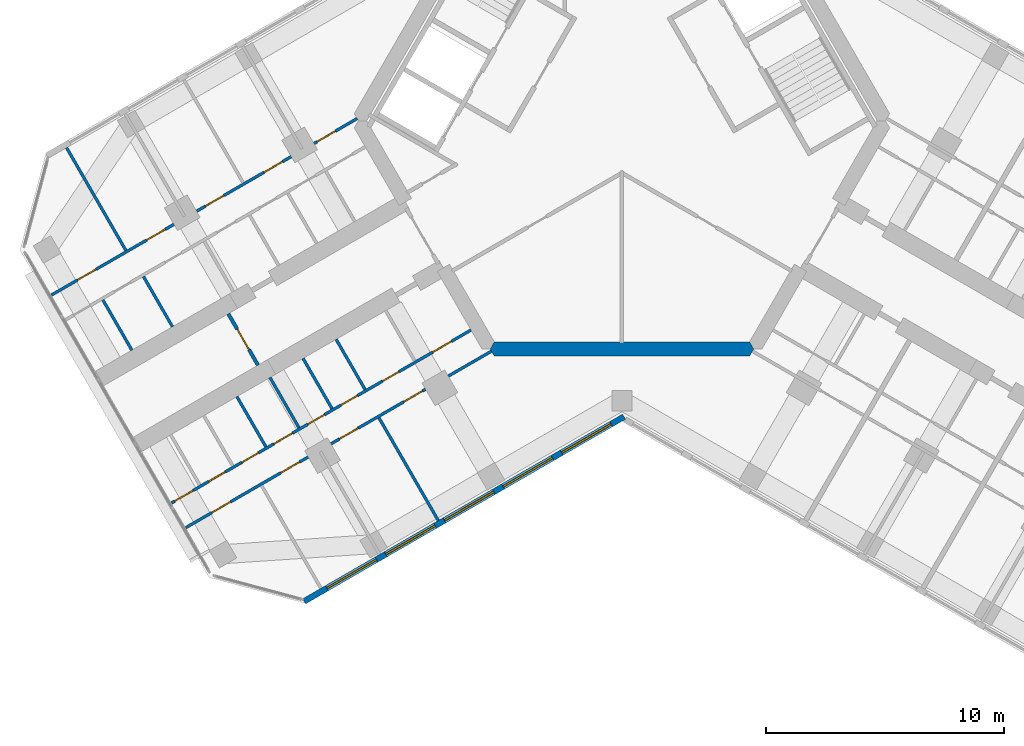
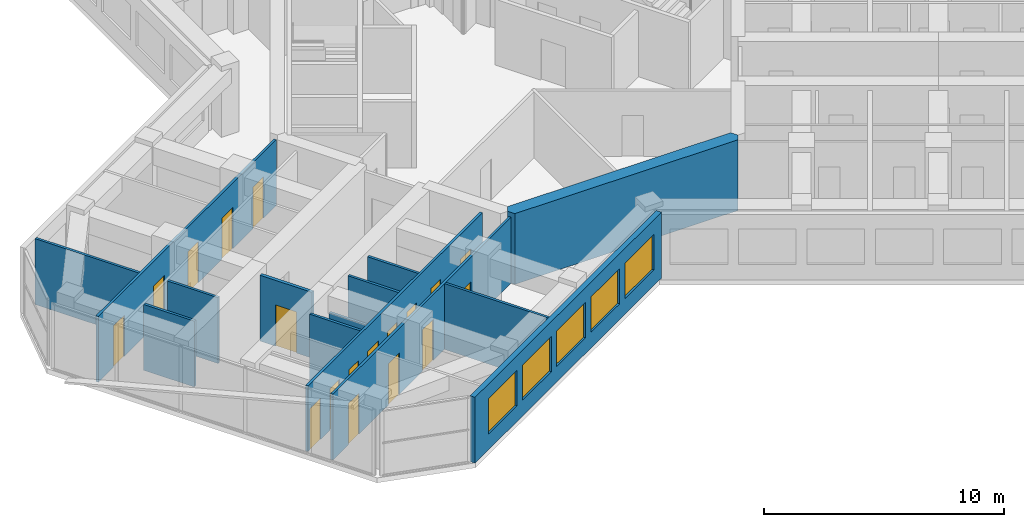
# One storey, part 8 of 16: 18 doors, 14 walls, 5 windows, 23 openings.
"""IFC4 building model written with IfcOpenShell, lengths in metres."""

from ifc_helpers import new_model, si_unit, direction, frame, frame_2d, origin, place, context, subcontext, project, spatial, polyline, rectangle, outline, extrude, material, layer, layer_set, type_object, element, fill, save


model = new_model("IFC4")

# Units and contexts
model_context = context("Model", 3, precision=1e-05, world=origin(), true_north=direction((0.0, 1.0)))
body_context = subcontext(model_context, "Body", "Model", "MODEL_VIEW")
ifc_project = project(units=[si_unit("LENGTHUNIT", "METRE"), si_unit("AREAUNIT", "SQUARE_METRE"), si_unit("VOLUMEUNIT", "CUBIC_METRE"), si_unit("PLANEANGLEUNIT", "RADIAN"), si_unit("MASSUNIT", "GRAM", prefix="KILO")], contexts=[model_context])

# Site, building, storey
site_placement = place(None, origin())
site = spatial("IfcSite", under=ifc_project, at=site_placement, CompositionType="ELEMENT")
building_placement = place(site_placement, origin())
building = spatial("IfcBuilding", under=site, at=building_placement, Name="Kosmar Iwan School Tower", CompositionType="ELEMENT")
storey_placement = place(building_placement, frame((0.0, 0.0, 253.199951171875)))
storey = spatial("IfcBuildingStorey", under=building, at=storey_placement, Name="L64", CompositionType="ELEMENT", Elevation=253.199951171875)

# Wall
ifc_material_1 = material(Name="Concrete C50/60", Category="concrete")
ifc_layer_1 = layer(ifc_material_1, 0.60009765625)
ifc_layer_set_1 = layer_set([ifc_layer_1], Name="Core wall 600")
wall_type_1 = type_object("IfcWallType", Name="Core wall 600", PredefinedType="SHEAR", material=ifc_layer_set_1)
wall_1_placement = place(storey_placement, origin())
element("IfcWall", 1, at=wall_1_placement, inside=storey, type_object=wall_type_1, Name="Core wall F270", PredefinedType="SHEAR", context=body_context, shape_type="SweptSolid", body=[
    extrude(outline(polyline([(-5.369384765625, -9.89990234375), (5.369384765625, -9.89990234375), (5.54248046875, -9.60009765625), (5.369384765625, -9.300048828125), (-5.369384765625, -9.300048828125), (-5.54248046875, -9.60009765625), (-5.369384765625, -9.89990234375)])), origin(), (0.0, 0.0, 1.0), 3.60009765625),
])

# Wall, opening, door
ifc_material_2 = material(Name="Gypsum board on steel studs, fire-rated", Category="steel")
ifc_layer_2 = layer(ifc_material_2, 0.14990234375)
ifc_layer_set_2 = layer_set([ifc_layer_2], Name="Corridor end wall 150")
wall_type_2 = type_object("IfcWallType", Name="Corridor end wall 150", PredefinedType="PARTITIONING", material=ifc_layer_set_2)
wall_2_placement = place(storey_placement, frame((-16.559814453125, -8.117431640625, 0.0), z_axis=(0.0, 0.0, 1.0), x_axis=(0.500004234368, -0.866022959057, 0.0)))
wall_2 = element("IfcWall", 2, at=wall_2_placement, inside=storey, type_object=wall_type_2, Name="Partition L64-B-CE", PredefinedType="PARTITIONING", context=body_context, shape_type="SweptSolid", body=[
    extrude(rectangle(XDim=2.5, YDim=0.14990234375, at=frame_2d((1.25, 0.0))), origin(), (0.0, 0.0, 1.0), 3.35009765625),
])
opening_1_placement = place(wall_2_placement, frame((0.75, 0.0, 0.0)))
opening_1 = element("IfcOpeningElement", 3, at=opening_1_placement, cuts=wall_2, Name="Opening D13", PredefinedType="OPENING", context=body_context, shape_type="SweptSolid", body=[
    extrude(rectangle(XDim=1.0, YDim=2.10009765625, at=frame_2d((0.5, 1.050048828125))), frame((0.0, 0.0869140625, 0.0), z_axis=(0.0, -1.0, 0.0), x_axis=(1.0, 0.0, 0.0)), (0.0, 0.0, 1.0), 0.173828125),
])
ifc_material_3 = material(Name="Timber fire door with vision panel", Category="wood")
door_type_1 = type_object("IfcDoorType", Name="Corridor end door 1000x2100", OperationType="SINGLE_SWING_LEFT", PredefinedType="DOOR", material=ifc_material_3)
door_1_placement = place(opening_1_placement, origin())
door_1 = element("IfcDoor", 4, at=door_1_placement, inside=storey, type_object=door_type_1, Name="Hobby workshop door L64-B", OperationType="SINGLE_SWING_RIGHT", OverallHeight=2.10009765625, OverallWidth=1.0, PredefinedType="DOOR", context=body_context, shape_type="SweptSolid", body=[
    extrude(rectangle(XDim=1.0, YDim=2.10009765625, at=frame_2d((0.5, 1.050048828125))), frame((0.0, 0.02490234375, 0.0), z_axis=(0.0, -1.0, 0.0), x_axis=(1.0, 0.0, 0.0)), (0.0, 0.0, 1.0), 0.050048828125),
])
fill(opening_1, door_1)

# Wall, openings, doors
ifc_material_4 = material(Name="Gypsum board on steel studs", Category="steel")
ifc_layer_3 = layer(ifc_material_4, 0.1201171875)
ifc_layer_set_3 = layer_set([ifc_layer_3], Name="Dwelling partition 120")
wall_type_3 = type_object("IfcWallType", Name="Dwelling partition 120", PredefinedType="PARTITIONING", material=ifc_layer_set_3)
wall_3_placement = place(storey_placement, frame((-6.3486328125, -8.8037109375, 0.0), z_axis=(0.0, 0.0, 1.0), x_axis=(-0.866020949409, -0.500007715126, 0.0)))
wall_3 = element("IfcWall", 5, at=wall_3_placement, inside=storey, type_object=wall_type_3, Name="Partition L64-BL1-W1", PredefinedType="PARTITIONING", context=body_context, shape_type="SweptSolid", body=[
    extrude(rectangle(XDim=14.545166015625, YDim=0.1201171875, at=frame_2d((7.2724609375, 0.0))), origin(), (0.0, 0.0, 1.0), 3.35009765625),
])
opening_2_placement = place(wall_3_placement, frame((0.949951171875, 0.0, 0.0)))
opening_2 = element("IfcOpeningElement", 6, at=opening_2_placement, cuts=wall_3, Name="Opening D2", PredefinedType="OPENING", context=body_context, shape_type="SweptSolid", body=[
    extrude(rectangle(XDim=0.89990234375, YDim=2.10009765625, at=frame_2d((0.449951171875, 1.050048828125))), frame((0.0, 0.072021484375, 0.0), z_axis=(0.0, -1.0, 0.0), x_axis=(1.0, 0.0, 0.0)), (0.0, 0.0, 1.0), 0.14404296875),
])
opening_3_placement = place(wall_3_placement, frame((3.505126953125, 0.0, 0.0)))
opening_3 = element("IfcOpeningElement", 7, at=opening_3_placement, cuts=wall_3, Name="Opening D3", PredefinedType="OPENING", context=body_context, shape_type="SweptSolid", body=[
    extrude(rectangle(XDim=0.800048828125, YDim=2.10009765625, at=frame_2d((0.39990234375, 1.050048828125))), frame((0.0, 0.072021484375, 0.0), z_axis=(0.0, -1.0, 0.0), x_axis=(1.0, 0.0, 0.0)), (0.0, 0.0, 1.0), 0.14404296875),
])
opening_4_placement = place(wall_3_placement, frame((5.513427734375, 0.0, 0.0)))
opening_4 = element("IfcOpeningElement", 8, at=opening_4_placement, cuts=wall_3, Name="Opening D3", PredefinedType="OPENING", context=body_context, shape_type="SweptSolid", body=[
    extrude(rectangle(XDim=0.800048828125, YDim=2.10009765625, at=frame_2d((0.39990234375, 1.050048828125))), frame((0.0, 0.072021484375, 0.0), z_axis=(0.0, -1.0, 0.0), x_axis=(1.0, 0.0, 0.0)), (0.0, 0.0, 1.0), 0.14404296875),
])
opening_5_placement = place(wall_3_placement, frame((7.1201171875, 0.0, 0.0)))
opening_5 = element("IfcOpeningElement", 9, at=opening_5_placement, cuts=wall_3, Name="Opening D3", PredefinedType="OPENING", context=body_context, shape_type="SweptSolid", body=[
    extrude(rectangle(XDim=0.800048828125, YDim=2.10009765625, at=frame_2d((0.39990234375, 1.050048828125))), frame((0.0, 0.072021484375, 0.0), z_axis=(0.0, -1.0, 0.0), x_axis=(1.0, 0.0, 0.0)), (0.0, 0.0, 1.0), 0.14404296875),
])
opening_6_placement = place(wall_3_placement, frame((8.6767578125, 0.0, 0.0)))
opening_6 = element("IfcOpeningElement", 10, at=opening_6_placement, cuts=wall_3, Name="Opening D2", PredefinedType="OPENING", context=body_context, shape_type="SweptSolid", body=[
    extrude(rectangle(XDim=0.89990234375, YDim=2.10009765625, at=frame_2d((0.449951171875, 1.050048828125))), frame((0.0, 0.072021484375, 0.0), z_axis=(0.0, -1.0, 0.0), x_axis=(1.0, 0.0, 0.0)), (0.0, 0.0, 1.0), 0.14404296875),
])
opening_7_placement = place(wall_3_placement, frame((10.333251953125, 0.0, 0.0)))
opening_7 = element("IfcOpeningElement", 11, at=opening_7_placement, cuts=wall_3, Name="Opening D3", PredefinedType="OPENING", context=body_context, shape_type="SweptSolid", body=[
    extrude(rectangle(XDim=0.800048828125, YDim=2.10009765625, at=frame_2d((0.39990234375, 1.050048828125))), frame((0.0, 0.072021484375, 0.0), z_axis=(0.0, -1.0, 0.0), x_axis=(1.0, 0.0, 0.0)), (0.0, 0.0, 1.0), 0.14404296875),
])
opening_8_placement = place(wall_3_placement, frame((11.93994140625, 0.0, 0.0)))
opening_8 = element("IfcOpeningElement", 12, at=opening_8_placement, cuts=wall_3, Name="Opening D3", PredefinedType="OPENING", context=body_context, shape_type="SweptSolid", body=[
    extrude(rectangle(XDim=0.800048828125, YDim=2.10009765625, at=frame_2d((0.39990234375, 1.050048828125))), frame((0.0, 0.072021484375, 0.0), z_axis=(0.0, -1.0, 0.0), x_axis=(1.0, 0.0, 0.0)), (0.0, 0.0, 1.0), 0.14404296875),
])
opening_9_placement = place(wall_3_placement, frame((13.49658203125, 0.0, 0.0)))
opening_9 = element("IfcOpeningElement", 13, at=opening_9_placement, cuts=wall_3, Name="Opening D2", PredefinedType="OPENING", context=body_context, shape_type="SweptSolid", body=[
    extrude(rectangle(XDim=0.89990234375, YDim=2.10009765625, at=frame_2d((0.449951171875, 1.050048828125))), frame((0.0, 0.072021484375, 0.0), z_axis=(0.0, -1.0, 0.0), x_axis=(1.0, 0.0, 0.0)), (0.0, 0.0, 1.0), 0.14404296875),
])
ifc_material_5 = material(Name="Timber door in timber frame", Category="wood")
door_type_2 = type_object("IfcDoorType", Name="Internal door 900x2100", OperationType="SINGLE_SWING_LEFT", PredefinedType="DOOR", material=ifc_material_5)
door_2_placement = place(opening_2_placement, origin())
door_2 = element("IfcDoor", 14, at=door_2_placement, inside=storey, type_object=door_type_2, Name="Entrance hall door L64-BL1-S1", OperationType="SINGLE_SWING_LEFT", OverallHeight=2.10009765625, OverallWidth=0.89990234375, PredefinedType="DOOR", context=body_context, shape_type="SweptSolid", body=[
    extrude(rectangle(XDim=0.89990234375, YDim=2.10009765625, at=frame_2d((0.449951171875, 1.050048828125))), frame((0.0, 0.02490234375, 0.0), z_axis=(0.0, -1.0, 0.0), x_axis=(1.0, 0.0, 0.0)), (0.0, 0.0, 1.0), 0.050048828125),
])
fill(opening_2, door_2)
door_3_placement = place(opening_6_placement, origin())
door_3 = element("IfcDoor", 15, at=door_3_placement, inside=storey, type_object=door_type_2, Name="Pantry door L64-BL1-S5", OperationType="SINGLE_SWING_RIGHT", OverallHeight=2.10009765625, OverallWidth=0.89990234375, PredefinedType="DOOR", context=body_context, shape_type="SweptSolid", body=[
    extrude(rectangle(XDim=0.89990234375, YDim=2.10009765625, at=frame_2d((0.449951171875, 1.050048828125))), frame((0.0, 0.02490234375, 0.0), z_axis=(0.0, -1.0, 0.0), x_axis=(1.0, 0.0, 0.0)), (0.0, 0.0, 1.0), 0.050048828125),
])
fill(opening_6, door_3)
door_4_placement = place(opening_9_placement, origin())
door_4 = element("IfcDoor", 16, at=door_4_placement, inside=storey, type_object=door_type_2, Name="Utility room door L64-BL1-S8", OperationType="SINGLE_SWING_RIGHT", OverallHeight=2.10009765625, OverallWidth=0.89990234375, PredefinedType="DOOR", context=body_context, shape_type="SweptSolid", body=[
    extrude(rectangle(XDim=0.89990234375, YDim=2.10009765625, at=frame_2d((0.449951171875, 1.050048828125))), frame((0.0, 0.02490234375, 0.0), z_axis=(0.0, -1.0, 0.0), x_axis=(1.0, 0.0, 0.0)), (0.0, 0.0, 1.0), 0.050048828125),
])
fill(opening_9, door_4)
ifc_material_6 = material(Name="Timber door in timber frame", Category="wood")
door_type_3 = type_object("IfcDoorType", Name="Sanitary room door 800x2100", OperationType="SINGLE_SWING_LEFT", PredefinedType="DOOR", material=ifc_material_6)
door_5_placement = place(opening_3_placement, origin())
door_5 = element("IfcDoor", 17, at=door_5_placement, inside=storey, type_object=door_type_3, Name="Bathroom door L64-BL1-S2", OperationType="SINGLE_SWING_LEFT", OverallHeight=2.10009765625, OverallWidth=0.800048828125, PredefinedType="DOOR", context=body_context, shape_type="SweptSolid", body=[
    extrude(rectangle(XDim=0.800048828125, YDim=2.10009765625, at=frame_2d((0.39990234375, 1.050048828125))), frame((0.0, 0.02490234375, 0.0), z_axis=(0.0, -1.0, 0.0), x_axis=(1.0, 0.0, 0.0)), (0.0, 0.0, 1.0), 0.050048828125),
])
fill(opening_3, door_5)
door_6_placement = place(opening_4_placement, origin())
door_6 = element("IfcDoor", 18, at=door_6_placement, inside=storey, type_object=door_type_3, Name="Grandparents' shower room door L64-BL1-S3", OperationType="SINGLE_SWING_LEFT", OverallHeight=2.10009765625, OverallWidth=0.800048828125, PredefinedType="DOOR", context=body_context, shape_type="SweptSolid", body=[
    extrude(rectangle(XDim=0.800048828125, YDim=2.10009765625, at=frame_2d((0.39990234375, 1.050048828125))), frame((0.0, 0.02490234375, 0.0), z_axis=(0.0, -1.0, 0.0), x_axis=(1.0, 0.0, 0.0)), (0.0, 0.0, 1.0), 0.050048828125),
])
fill(opening_4, door_6)
door_7_placement = place(opening_5_placement, origin())
door_7 = element("IfcDoor", 19, at=door_7_placement, inside=storey, type_object=door_type_3, Name="Shower room door L64-BL1-S4", OperationType="SINGLE_SWING_RIGHT", OverallHeight=2.10009765625, OverallWidth=0.800048828125, PredefinedType="DOOR", context=body_context, shape_type="SweptSolid", body=[
    extrude(rectangle(XDim=0.800048828125, YDim=2.10009765625, at=frame_2d((0.39990234375, 1.050048828125))), frame((0.0, 0.02490234375, 0.0), z_axis=(0.0, -1.0, 0.0), x_axis=(1.0, 0.0, 0.0)), (0.0, 0.0, 1.0), 0.050048828125),
])
fill(opening_5, door_7)
door_8_placement = place(opening_7_placement, origin())
door_8 = element("IfcDoor", 20, at=door_8_placement, inside=storey, type_object=door_type_3, Name="WC door L64-BL1-S6", OperationType="SINGLE_SWING_RIGHT", OverallHeight=2.10009765625, OverallWidth=0.800048828125, PredefinedType="DOOR", context=body_context, shape_type="SweptSolid", body=[
    extrude(rectangle(XDim=0.800048828125, YDim=2.10009765625, at=frame_2d((0.39990234375, 1.050048828125))), frame((0.0, 0.02490234375, 0.0), z_axis=(0.0, -1.0, 0.0), x_axis=(1.0, 0.0, 0.0)), (0.0, 0.0, 1.0), 0.050048828125),
])
fill(opening_7, door_8)
door_9_placement = place(opening_8_placement, origin())
door_9 = element("IfcDoor", 21, at=door_9_placement, inside=storey, type_object=door_type_3, Name="Store door L64-BL1-S7", OperationType="SINGLE_SWING_RIGHT", OverallHeight=2.10009765625, OverallWidth=0.800048828125, PredefinedType="DOOR", context=body_context, shape_type="SweptSolid", body=[
    extrude(rectangle(XDim=0.800048828125, YDim=2.10009765625, at=frame_2d((0.39990234375, 1.050048828125))), frame((0.0, 0.02490234375, 0.0), z_axis=(0.0, -1.0, 0.0), x_axis=(1.0, 0.0, 0.0)), (0.0, 0.0, 1.0), 0.050048828125),
])
fill(opening_8, door_9)

wall_4_placement = place(storey_placement, frame((-5.48876953125, -9.693115234375, 0.0), z_axis=(0.0, 0.0, 1.0), x_axis=(-0.866030301974, -0.499991515992, 0.0)))
wall_4 = element("IfcWall", 22, at=wall_4_placement, inside=storey, type_object=wall_type_3, Name="Partition L64-BL1-W2", PredefinedType="PARTITIONING", context=body_context, shape_type="SweptSolid", body=[
    extrude(rectangle(XDim=14.844970703125, YDim=0.1201171875, at=frame_2d((7.42236328125, 0.0))), origin(), (0.0, 0.0, 1.0), 3.35009765625),
])
opening_10_placement = place(wall_4_placement, frame((3.35009765625, 0.0, 0.0)))
opening_10 = element("IfcOpeningElement", 23, at=opening_10_placement, cuts=wall_4, Name="Opening D2", PredefinedType="OPENING", context=body_context, shape_type="SweptSolid", body=[
    extrude(rectangle(XDim=0.89990234375, YDim=2.10009765625, at=frame_2d((0.449951171875, 1.050048828125))), frame((0.0, 0.072021484375, 0.0), z_axis=(0.0, -1.0, 0.0), x_axis=(1.0, 0.0, 0.0)), (0.0, 0.0, 1.0), 0.14404296875),
])
opening_11_placement = place(wall_4_placement, frame((6.47509765625, 0.0, 0.0)))
opening_11 = element("IfcOpeningElement", 24, at=opening_11_placement, cuts=wall_4, Name="Opening D2", PredefinedType="OPENING", context=body_context, shape_type="SweptSolid", body=[
    extrude(rectangle(XDim=0.89990234375, YDim=2.10009765625, at=frame_2d((0.449951171875, 1.050048828125))), frame((0.0, 0.072021484375, 0.0), z_axis=(0.0, -1.0, 0.0), x_axis=(1.0, 0.0, 0.0)), (0.0, 0.0, 1.0), 0.14404296875),
])
opening_12_placement = place(wall_4_placement, frame((9.324951171875, 0.0, 0.0)))
opening_12 = element("IfcOpeningElement", 25, at=opening_12_placement, cuts=wall_4, Name="Opening D2", PredefinedType="OPENING", context=body_context, shape_type="SweptSolid", body=[
    extrude(rectangle(XDim=0.89990234375, YDim=2.10009765625, at=frame_2d((0.449951171875, 1.050048828125))), frame((0.0, 0.072021484375, 0.0), z_axis=(0.0, -1.0, 0.0), x_axis=(1.0, 0.0, 0.0)), (0.0, 0.0, 1.0), 0.14404296875),
])
opening_13_placement = place(wall_4_placement, frame((12.675048828125, 0.0, 0.0)))
opening_13 = element("IfcOpeningElement", 26, at=opening_13_placement, cuts=wall_4, Name="Opening D2", PredefinedType="OPENING", context=body_context, shape_type="SweptSolid", body=[
    extrude(rectangle(XDim=0.89990234375, YDim=2.10009765625, at=frame_2d((0.449951171875, 1.050048828125))), frame((0.0, 0.072021484375, 0.0), z_axis=(0.0, -1.0, 0.0), x_axis=(1.0, 0.0, 0.0)), (0.0, 0.0, 1.0), 0.14404296875),
])
door_10_placement = place(opening_10_placement, origin())
door_10 = element("IfcDoor", 27, at=door_10_placement, inside=storey, type_object=door_type_2, Name="Living room and kitchen door L64-BL1-F1", OperationType="SINGLE_SWING_RIGHT", OverallHeight=2.10009765625, OverallWidth=0.89990234375, PredefinedType="DOOR", context=body_context, shape_type="SweptSolid", body=[
    extrude(rectangle(XDim=0.89990234375, YDim=2.10009765625, at=frame_2d((0.449951171875, 1.050048828125))), frame((0.0, 0.02490234375, 0.0), z_axis=(0.0, -1.0, 0.0), x_axis=(1.0, 0.0, 0.0)), (0.0, 0.0, 1.0), 0.050048828125),
])
fill(opening_10, door_10)
door_11_placement = place(opening_11_placement, origin())
door_11 = element("IfcDoor", 28, at=door_11_placement, inside=storey, type_object=door_type_2, Name="Grandparents' suite door L64-BL1-F2", OperationType="SINGLE_SWING_RIGHT", OverallHeight=2.10009765625, OverallWidth=0.89990234375, PredefinedType="DOOR", context=body_context, shape_type="SweptSolid", body=[
    extrude(rectangle(XDim=0.89990234375, YDim=2.10009765625, at=frame_2d((0.449951171875, 1.050048828125))), frame((0.0, 0.02490234375, 0.0), z_axis=(0.0, -1.0, 0.0), x_axis=(1.0, 0.0, 0.0)), (0.0, 0.0, 1.0), 0.050048828125),
])
fill(opening_11, door_11)
door_12_placement = place(opening_12_placement, origin())
door_12 = element("IfcDoor", 29, at=door_12_placement, inside=storey, type_object=door_type_2, Name="Bedroom 1 door L64-BL1-F3", OperationType="SINGLE_SWING_LEFT", OverallHeight=2.10009765625, OverallWidth=0.89990234375, PredefinedType="DOOR", context=body_context, shape_type="SweptSolid", body=[
    extrude(rectangle(XDim=0.89990234375, YDim=2.10009765625, at=frame_2d((0.449951171875, 1.050048828125))), frame((0.0, 0.02490234375, 0.0), z_axis=(0.0, -1.0, 0.0), x_axis=(1.0, 0.0, 0.0)), (0.0, 0.0, 1.0), 0.050048828125),
])
fill(opening_12, door_12)
door_13_placement = place(opening_13_placement, origin())
door_13 = element("IfcDoor", 30, at=door_13_placement, inside=storey, type_object=door_type_2, Name="Bedroom 2 door L64-BL1-F4", OperationType="SINGLE_SWING_RIGHT", OverallHeight=2.10009765625, OverallWidth=0.89990234375, PredefinedType="DOOR", context=body_context, shape_type="SweptSolid", body=[
    extrude(rectangle(XDim=0.89990234375, YDim=2.10009765625, at=frame_2d((0.449951171875, 1.050048828125))), frame((0.0, 0.02490234375, 0.0), z_axis=(0.0, -1.0, 0.0), x_axis=(1.0, 0.0, 0.0)), (0.0, 0.0, 1.0), 0.050048828125),
])
fill(opening_13, door_13)

# Walls
wall_5_placement = place(storey_placement, frame((-10.221923828125, -12.4951171875, 0.0), z_axis=(0.0, 0.0, 1.0), x_axis=(0.499996339024, -0.86602751744, 0.0)))
element("IfcWall", 31, at=wall_5_placement, inside=storey, type_object=wall_type_3, Name="Partition L64-BL1-X1", PredefinedType="PARTITIONING", context=body_context, shape_type="SweptSolid", body=[
    extrude(rectangle(XDim=4.98974609375, YDim=0.1201171875, at=frame_2d((2.494873046875, 0.0))), origin(), (0.0, 0.0, 1.0), 3.35009765625),
])
for number, where, z_axis, x_axis, name in (
    (32, (-12.02392578125, -9.19384765625, 0.0), (0.0, 0.0, 1.0), (0.500002508028, -0.866023955769, 0.0), "Partition L64-BL1-Y2"),
    (33, (-13.41552734375, -9.9970703125, 0.0), (0.0, 0.0, 1.0), (0.500002508028, -0.866023955769, 0.0), "Partition L64-BL1-Y3"),
):
    element("IfcWall", number, at=place(storey_placement, frame(where, z_axis=z_axis, x_axis=x_axis)), inside=storey, type_object=wall_type_3, Name=name, PredefinedType="PARTITIONING", context=body_context, shape_type="SweptSolid", body=[
        extrude(rectangle(XDim=2.43994140625, YDim=0.1201171875, at=frame_2d((1.219970703125, 0.0))), origin(), (0.0, 0.0, 1.0), 3.35009765625),
    ])
wall_6_placement = place(storey_placement, frame((-14.806884765625, -10.80029296875, 0.0), z_axis=(0.0, 0.0, 1.0), x_axis=(0.499959183527, -0.866048967903, 0.0)))
element("IfcWall", 34, at=wall_6_placement, inside=storey, type_object=wall_type_3, Name="Partition L64-BL1-Y4", PredefinedType="PARTITIONING", context=body_context, shape_type="SweptSolid", body=[
    extrude(rectangle(XDim=2.440185546875, YDim=0.1201171875, at=frame_2d((1.22021484375, 0.0))), origin(), (0.0, 0.0, 1.0), 2.449951171875),
])
wall_7_placement = place(storey_placement, frame((-16.1982421875, -11.603759765625, 0.0), z_axis=(0.0, 0.0, 1.0), x_axis=(0.500002508028, -0.866023955769, 0.0)))
element("IfcWall", 35, at=wall_7_placement, inside=storey, type_object=wall_type_3, Name="Partition L64-BL1-Y5", PredefinedType="PARTITIONING", context=body_context, shape_type="SweptSolid", body=[
    extrude(rectangle(XDim=2.43994140625, YDim=0.1201171875, at=frame_2d((1.219970703125, 0.0))), origin(), (0.0, 0.0, 1.0), 3.35009765625),
])

# Wall, openings, doors
wall_8_placement = place(storey_placement, frame((-11.138916015625, 0.093017578125, 0.0), z_axis=(0.0, 0.0, 1.0), x_axis=(-0.866030301974, -0.499991515992, 0.0)))
wall_8 = element("IfcWall", 36, at=wall_8_placement, inside=storey, type_object=wall_type_3, Name="Partition L64-BR1-W2", PredefinedType="PARTITIONING", context=body_context, shape_type="SweptSolid", body=[
    extrude(rectangle(XDim=14.844970703125, YDim=0.1201171875, at=frame_2d((7.42236328125, 0.0))), origin(), (0.0, 0.0, 1.0), 3.35009765625),
])
opening_14_placement = place(wall_8_placement, frame((1.050048828125, 0.0, 0.0)))
opening_14 = element("IfcOpeningElement", 37, at=opening_14_placement, cuts=wall_8, Name="Opening D2", PredefinedType="OPENING", context=body_context, shape_type="SweptSolid", body=[
    extrude(rectangle(XDim=0.89990234375, YDim=2.10009765625, at=frame_2d((0.449951171875, 1.050048828125))), frame((0.0, 0.072021484375, 0.0), z_axis=(0.0, -1.0, 0.0), x_axis=(1.0, 0.0, 0.0)), (0.0, 0.0, 1.0), 0.14404296875),
])
opening_15_placement = place(wall_8_placement, frame((3.625, 0.0, 0.0)))
opening_15 = element("IfcOpeningElement", 38, at=opening_15_placement, cuts=wall_8, Name="Opening D2", PredefinedType="OPENING", context=body_context, shape_type="SweptSolid", body=[
    extrude(rectangle(XDim=0.89990234375, YDim=2.10009765625, at=frame_2d((0.449951171875, 1.050048828125))), frame((0.0, 0.072021484375, 0.0), z_axis=(0.0, -1.0, 0.0), x_axis=(1.0, 0.0, 0.0)), (0.0, 0.0, 1.0), 0.14404296875),
])
opening_16_placement = place(wall_8_placement, frame((6.47509765625, 0.0, 0.0)))
opening_16 = element("IfcOpeningElement", 39, at=opening_16_placement, cuts=wall_8, Name="Opening D2", PredefinedType="OPENING", context=body_context, shape_type="SweptSolid", body=[
    extrude(rectangle(XDim=0.89990234375, YDim=2.10009765625, at=frame_2d((0.449951171875, 1.050048828125))), frame((0.0, 0.072021484375, 0.0), z_axis=(0.0, -1.0, 0.0), x_axis=(1.0, 0.0, 0.0)), (0.0, 0.0, 1.0), 0.14404296875),
])
opening_17_placement = place(wall_8_placement, frame((9.324951171875, 0.0, 0.0)))
opening_17 = element("IfcOpeningElement", 40, at=opening_17_placement, cuts=wall_8, Name="Opening D2", PredefinedType="OPENING", context=body_context, shape_type="SweptSolid", body=[
    extrude(rectangle(XDim=0.89990234375, YDim=2.10009765625, at=frame_2d((0.449951171875, 1.050048828125))), frame((0.0, 0.072021484375, 0.0), z_axis=(0.0, -1.0, 0.0), x_axis=(1.0, 0.0, 0.0)), (0.0, 0.0, 1.0), 0.14404296875),
])
opening_18_placement = place(wall_8_placement, frame((12.675048828125, 0.0, 0.0)))
opening_18 = element("IfcOpeningElement", 41, at=opening_18_placement, cuts=wall_8, Name="Opening D2", PredefinedType="OPENING", context=body_context, shape_type="SweptSolid", body=[
    extrude(rectangle(XDim=0.89990234375, YDim=2.10009765625, at=frame_2d((0.449951171875, 1.050048828125))), frame((0.0, 0.072021484375, 0.0), z_axis=(0.0, -1.0, 0.0), x_axis=(1.0, 0.0, 0.0)), (0.0, 0.0, 1.0), 0.14404296875),
])
door_14_placement = place(opening_14_placement, origin())
door_14 = element("IfcDoor", 42, at=door_14_placement, inside=storey, type_object=door_type_2, Name="Living room and kitchen door L64-BR1-F1", OperationType="SINGLE_SWING_LEFT", OverallHeight=2.10009765625, OverallWidth=0.89990234375, PredefinedType="DOOR", context=body_context, shape_type="SweptSolid", body=[
    extrude(rectangle(XDim=0.89990234375, YDim=2.10009765625, at=frame_2d((0.449951171875, 1.050048828125))), frame((0.0, 0.02490234375, 0.0), z_axis=(0.0, -1.0, 0.0), x_axis=(1.0, 0.0, 0.0)), (0.0, 0.0, 1.0), 0.050048828125),
])
fill(opening_14, door_14)
door_15_placement = place(opening_15_placement, origin())
door_15 = element("IfcDoor", 43, at=door_15_placement, inside=storey, type_object=door_type_2, Name="Study door L64-BR1-F2", OperationType="SINGLE_SWING_LEFT", OverallHeight=2.10009765625, OverallWidth=0.89990234375, PredefinedType="DOOR", context=body_context, shape_type="SweptSolid", body=[
    extrude(rectangle(XDim=0.89990234375, YDim=2.10009765625, at=frame_2d((0.449951171875, 1.050048828125))), frame((0.0, 0.02490234375, 0.0), z_axis=(0.0, -1.0, 0.0), x_axis=(1.0, 0.0, 0.0)), (0.0, 0.0, 1.0), 0.050048828125),
])
fill(opening_15, door_15)
door_16_placement = place(opening_16_placement, origin())
door_16 = element("IfcDoor", 44, at=door_16_placement, inside=storey, type_object=door_type_2, Name="Bedroom 2 door L64-BR1-F3", OperationType="SINGLE_SWING_LEFT", OverallHeight=2.10009765625, OverallWidth=0.89990234375, PredefinedType="DOOR", context=body_context, shape_type="SweptSolid", body=[
    extrude(rectangle(XDim=0.89990234375, YDim=2.10009765625, at=frame_2d((0.449951171875, 1.050048828125))), frame((0.0, 0.02490234375, 0.0), z_axis=(0.0, -1.0, 0.0), x_axis=(1.0, 0.0, 0.0)), (0.0, 0.0, 1.0), 0.050048828125),
])
fill(opening_16, door_16)
door_17_placement = place(opening_17_placement, origin())
door_17 = element("IfcDoor", 45, at=door_17_placement, inside=storey, type_object=door_type_2, Name="Grandparents' suite door L64-BR1-F4", OperationType="SINGLE_SWING_RIGHT", OverallHeight=2.10009765625, OverallWidth=0.89990234375, PredefinedType="DOOR", context=body_context, shape_type="SweptSolid", body=[
    extrude(rectangle(XDim=0.89990234375, YDim=2.10009765625, at=frame_2d((0.449951171875, 1.050048828125))), frame((0.0, 0.02490234375, 0.0), z_axis=(0.0, -1.0, 0.0), x_axis=(1.0, 0.0, 0.0)), (0.0, 0.0, 1.0), 0.050048828125),
])
fill(opening_17, door_17)
door_18_placement = place(opening_18_placement, origin())
door_18 = element("IfcDoor", 46, at=door_18_placement, inside=storey, type_object=door_type_2, Name="Bedroom 1 door L64-BR1-F5", OperationType="SINGLE_SWING_RIGHT", OverallHeight=2.10009765625, OverallWidth=0.89990234375, PredefinedType="DOOR", context=body_context, shape_type="SweptSolid", body=[
    extrude(rectangle(XDim=0.89990234375, YDim=2.10009765625, at=frame_2d((0.449951171875, 1.050048828125))), frame((0.0, 0.02490234375, 0.0), z_axis=(0.0, -1.0, 0.0), x_axis=(1.0, 0.0, 0.0)), (0.0, 0.0, 1.0), 0.050048828125),
])
fill(opening_18, door_18)

# Walls
wall_9_placement = place(storey_placement, frame((-20.868408203125, -5.455078125, 0.0), z_axis=(0.0, 0.0, 1.0), x_axis=(-0.499975153383, 0.86603974851, 0.0)))
element("IfcWall", 47, at=wall_9_placement, inside=storey, type_object=wall_type_3, Name="Partition L64-BR1-X4", PredefinedType="PARTITIONING", context=body_context, shape_type="SweptSolid", body=[
    extrude(rectangle(XDim=4.989990234375, YDim=0.1201171875, at=frame_2d((2.4951171875, 0.0))), origin(), (0.0, 0.0, 1.0), 3.35009765625),
])
wall_10_placement = place(storey_placement, frame((-18.907958984375, -8.664794921875, 0.0), z_axis=(0.0, 0.0, 1.0), x_axis=(-0.500002508028, 0.866023955769, 0.0)))
element("IfcWall", 48, at=wall_10_placement, inside=storey, type_object=wall_type_3, Name="Partition L64-BR1-Y5", PredefinedType="PARTITIONING", context=body_context, shape_type="SweptSolid", body=[
    extrude(rectangle(XDim=2.43994140625, YDim=0.1201171875, at=frame_2d((1.219970703125, 0.0))), origin(), (0.0, 0.0, 1.0), 3.35009765625),
])
wall_11_placement = place(storey_placement, frame((-20.615234375, -9.650634765625, 0.0), z_axis=(0.0, 0.0, 1.0), x_axis=(-0.499959183527, 0.866048967903, 0.0)))
element("IfcWall", 49, at=wall_11_placement, inside=storey, type_object=wall_type_3, Name="Partition L64-BR1-Y6", PredefinedType="PARTITIONING", context=body_context, shape_type="SweptSolid", body=[
    extrude(rectangle(XDim=2.440185546875, YDim=0.1201171875, at=frame_2d((1.22021484375, 0.0))), origin(), (0.0, 0.0, 1.0), 3.35009765625),
])

# Wall, openings, windows
ifc_material_7 = material(Name="Black aluminium rainscreen on insulated framing", Category="aluminium")
ifc_layer_4 = layer(ifc_material_7, 0.25)
ifc_layer_set_4 = layer_set([ifc_layer_4], Name="External wall rainscreen 250")
wall_type_4 = type_object("IfcWallType", Name="External wall rainscreen 250", PredefinedType="SOLIDWALL", material=ifc_layer_set_4)
wall_12_placement = place(storey_placement, frame((0.088134765625, -12.44873046875, 0.0), z_axis=(0.0, 0.0, 1.0), x_axis=(-0.866029894971, -0.499992220956, 0.0)))
wall_12 = element("IfcWall", 50, at=wall_12_placement, inside=storey, type_object=wall_type_4, Name="External wall BL L64", PredefinedType="SOLIDWALL", context=body_context, shape_type="SweptSolid", body=[
    extrude(rectangle(XDim=15.537353515625, YDim=0.25, at=frame_2d((7.7685546875, 0.0))), origin(), (0.0, 0.0, 1.0), 3.35009765625),
])
opening_19_placement = place(wall_12_placement, frame((0.626953125, 0.0, 0.800048828125)))
opening_19 = element("IfcOpeningElement", 51, at=opening_19_placement, cuts=wall_12, Name="Opening W5", PredefinedType="OPENING", context=body_context, shape_type="SweptSolid", body=[
    extrude(rectangle(XDim=2.39990234375, YDim=1.800048828125, at=frame_2d((1.199951171875, 0.89990234375))), frame((0.0, 0.136962890625, 0.0), z_axis=(0.0, -1.0, 0.0), x_axis=(1.0, 0.0, 0.0)), (0.0, 0.0, 1.0), 0.27392578125),
])
opening_20_placement = place(wall_12_placement, frame((3.47705078125, 0.0, 0.800048828125)))
opening_20 = element("IfcOpeningElement", 52, at=opening_20_placement, cuts=wall_12, Name="Opening W5", PredefinedType="OPENING", context=body_context, shape_type="SweptSolid", body=[
    extrude(rectangle(XDim=2.39990234375, YDim=1.800048828125, at=frame_2d((1.199951171875, 0.89990234375))), frame((0.0, 0.136962890625, 0.0), z_axis=(0.0, -1.0, 0.0), x_axis=(1.0, 0.0, 0.0)), (0.0, 0.0, 1.0), 0.27392578125),
])
opening_21_placement = place(wall_12_placement, frame((6.326904296875, 0.0, 0.800048828125)))
opening_21 = element("IfcOpeningElement", 53, at=opening_21_placement, cuts=wall_12, Name="Opening W5", PredefinedType="OPENING", context=body_context, shape_type="SweptSolid", body=[
    extrude(rectangle(XDim=2.39990234375, YDim=1.800048828125, at=frame_2d((1.199951171875, 0.89990234375))), frame((0.0, 0.136962890625, 0.0), z_axis=(0.0, -1.0, 0.0), x_axis=(1.0, 0.0, 0.0)), (0.0, 0.0, 1.0), 0.27392578125),
])
opening_22_placement = place(wall_12_placement, frame((9.177001953125, 0.0, 0.800048828125)))
opening_22 = element("IfcOpeningElement", 54, at=opening_22_placement, cuts=wall_12, Name="Opening W5", PredefinedType="OPENING", context=body_context, shape_type="SweptSolid", body=[
    extrude(rectangle(XDim=2.39990234375, YDim=1.800048828125, at=frame_2d((1.199951171875, 0.89990234375))), frame((0.0, 0.136962890625, 0.0), z_axis=(0.0, -1.0, 0.0), x_axis=(1.0, 0.0, 0.0)), (0.0, 0.0, 1.0), 0.27392578125),
])
opening_23_placement = place(wall_12_placement, frame((12.027099609375, 0.0, 0.800048828125)))
opening_23 = element("IfcOpeningElement", 55, at=opening_23_placement, cuts=wall_12, Name="Opening W5", PredefinedType="OPENING", context=body_context, shape_type="SweptSolid", body=[
    extrude(rectangle(XDim=2.39990234375, YDim=1.800048828125, at=frame_2d((1.199951171875, 0.89990234375))), frame((0.0, 0.136962890625, 0.0), z_axis=(0.0, -1.0, 0.0), x_axis=(1.0, 0.0, 0.0)), (0.0, 0.0, 1.0), 0.27392578125),
])
ifc_material_8 = material(Name="Black aluminium frame with dark triple glazing", Category="aluminium")
window_type = type_object("IfcWindowType", Name="Window 2400x1800", PartitioningType="SINGLE_PANEL", PredefinedType="WINDOW", material=ifc_material_8)
window_1_placement = place(opening_19_placement, origin())
window_1 = element("IfcWindow", 56, at=window_1_placement, inside=storey, type_object=window_type, Name="Window BL L64 -1", OverallHeight=1.800048828125, OverallWidth=2.39990234375, PartitioningType="SINGLE_PANEL", PredefinedType="WINDOW", context=body_context, shape_type="SweptSolid", body=[
    extrude(rectangle(XDim=2.39990234375, YDim=1.800048828125, at=frame_2d((1.199951171875, 0.89990234375))), frame((0.0, 0.030029296875, 0.0), z_axis=(0.0, -1.0, 0.0), x_axis=(1.0, 0.0, 0.0)), (0.0, 0.0, 1.0), 0.06005859375),
])
fill(opening_19, window_1)
window_2_placement = place(opening_20_placement, origin())
window_2 = element("IfcWindow", 57, at=window_2_placement, inside=storey, type_object=window_type, Name="Window BL L64 0", OverallHeight=1.800048828125, OverallWidth=2.39990234375, PartitioningType="SINGLE_PANEL", PredefinedType="WINDOW", context=body_context, shape_type="SweptSolid", body=[
    extrude(rectangle(XDim=2.39990234375, YDim=1.800048828125, at=frame_2d((1.199951171875, 0.89990234375))), frame((0.0, 0.030029296875, 0.0), z_axis=(0.0, -1.0, 0.0), x_axis=(1.0, 0.0, 0.0)), (0.0, 0.0, 1.0), 0.06005859375),
])
fill(opening_20, window_2)
window_3_placement = place(opening_21_placement, origin())
window_3 = element("IfcWindow", 58, at=window_3_placement, inside=storey, type_object=window_type, Name="Window BL L64 1", OverallHeight=1.800048828125, OverallWidth=2.39990234375, PartitioningType="SINGLE_PANEL", PredefinedType="WINDOW", context=body_context, shape_type="SweptSolid", body=[
    extrude(rectangle(XDim=2.39990234375, YDim=1.800048828125, at=frame_2d((1.199951171875, 0.89990234375))), frame((0.0, 0.030029296875, 0.0), z_axis=(0.0, -1.0, 0.0), x_axis=(1.0, 0.0, 0.0)), (0.0, 0.0, 1.0), 0.06005859375),
])
fill(opening_21, window_3)
window_4_placement = place(opening_22_placement, origin())
window_4 = element("IfcWindow", 59, at=window_4_placement, inside=storey, type_object=window_type, Name="Window BL L64 2", OverallHeight=1.800048828125, OverallWidth=2.39990234375, PartitioningType="SINGLE_PANEL", PredefinedType="WINDOW", context=body_context, shape_type="SweptSolid", body=[
    extrude(rectangle(XDim=2.39990234375, YDim=1.800048828125, at=frame_2d((1.199951171875, 0.89990234375))), frame((0.0, 0.030029296875, 0.0), z_axis=(0.0, -1.0, 0.0), x_axis=(1.0, 0.0, 0.0)), (0.0, 0.0, 1.0), 0.06005859375),
])
fill(opening_22, window_4)
window_5_placement = place(opening_23_placement, origin())
window_5 = element("IfcWindow", 60, at=window_5_placement, inside=storey, type_object=window_type, Name="Window BL L64 3", OverallHeight=1.800048828125, OverallWidth=2.39990234375, PartitioningType="SINGLE_PANEL", PredefinedType="WINDOW", context=body_context, shape_type="SweptSolid", body=[
    extrude(rectangle(XDim=2.39990234375, YDim=1.800048828125, at=frame_2d((1.199951171875, 0.89990234375))), frame((0.0, 0.030029296875, 0.0), z_axis=(0.0, -1.0, 0.0), x_axis=(1.0, 0.0, 0.0)), (0.0, 0.0, 1.0), 0.06005859375),
])
fill(opening_23, window_5)

save(model, "model.ifc")
